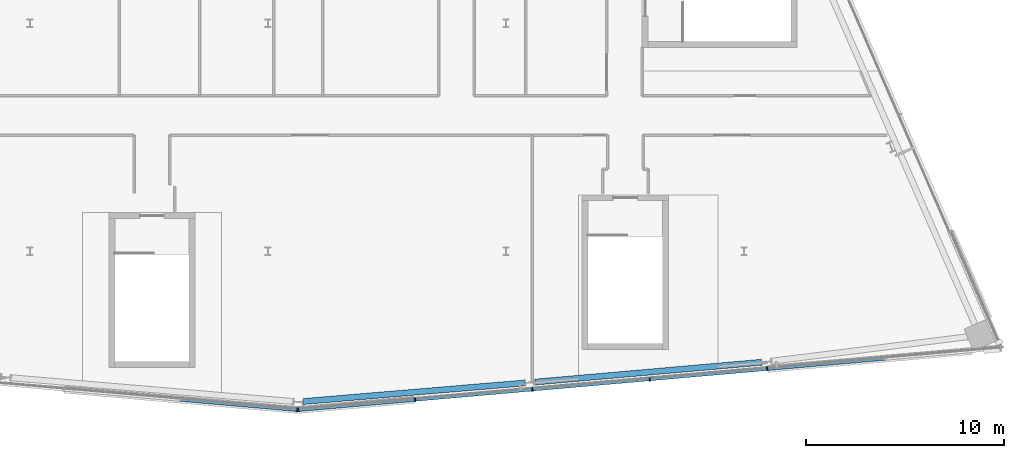
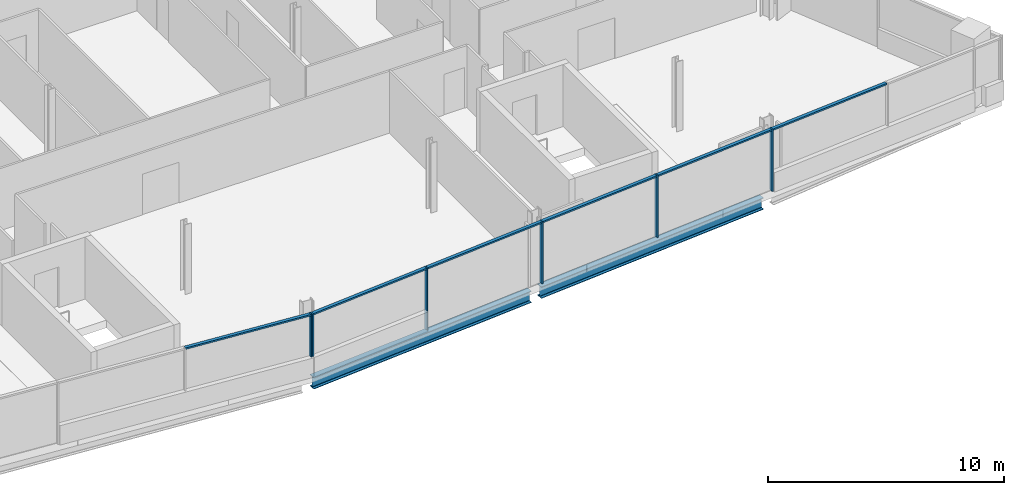
# One storey, part 7 of 19: 12 members, 2 beams, 2 elements without a shape of their own.
"""IFC4 building model written with IfcOpenShell, lengths in metres."""

from ifc_helpers import new_model, si_unit, direction, frame, origin, origin_2d, place, context, subcontext, project, spatial, rectangle, i_section, extrude, material, material_profile, profile_set, type_object, element, aggregate, save


model = new_model("IFC4")

# Units and contexts
model_context = context("Model", 3, precision=1e-05, world=origin(), true_north=direction((0.0, 1.0)))
body_context = subcontext(model_context, "Body", "Model", "MODEL_VIEW")
ifc_project = project(units=[si_unit("LENGTHUNIT", "METRE"), si_unit("AREAUNIT", "SQUARE_METRE"), si_unit("VOLUMEUNIT", "CUBIC_METRE"), si_unit("PLANEANGLEUNIT", "RADIAN"), si_unit("MASSUNIT", "GRAM", prefix="KILO")], contexts=[model_context])

# Site, building, storey
site_placement = place(None, origin())
site = spatial("IfcSite", under=ifc_project, at=site_placement, CompositionType="ELEMENT")
building_placement = place(site_placement, origin())
building = spatial("IfcBuilding", under=site, at=building_placement, Name="Wharfspan Tower", CompositionType="ELEMENT")
storey_placement = place(building_placement, frame((0.0, 0.0, 257.5)))
storey = spatial("IfcBuildingStorey", under=building, at=storey_placement, Name="L65", CompositionType="ELEMENT", Elevation=257.5)

# Beams
ifc_material_1 = material(Name="Steel S355J2", Category="steel")
ifc_material_profile_1 = material_profile(ifc_material_1, i_section(OverallWidth=0.300049, OverallDepth=0.600098, WebThickness=0.015381, FlangeThickness=0.030029, FilletRadius=0.0271, at=origin_2d()))
ifc_profile_set_1 = profile_set([ifc_material_profile_1], Name="Steel S355J2")
beam_type = type_object("IfcBeamType", Name="Edge beam HEB 600", PredefinedType="SPANDREL", material=ifc_profile_set_1)
beam_1_placement = place(storey_placement, frame((49.783691, 3.923828, -0.699951), z_axis=(0.996517, 0.083395, 0.0), x_axis=(-0.083395, 0.996517, 0.0)))
element("IfcBeam", 1, at=beam_1_placement, inside=storey, type_object=beam_type, Name="Edge beam S2 L65 PS1.3 to PS2.1", PredefinedType="SPANDREL", context=body_context, shape_type="SweptSolid", body=[
    extrude(i_section(OverallWidth=0.300049, OverallDepth=0.600098, WebThickness=0.015381, FlangeThickness=0.030029, FilletRadius=0.0271, at=origin_2d()), origin(), (0.0, 0.0, 1.0), 11.200684),
])
beam_2_placement = place(storey_placement, frame((61.459473, 4.901855, -0.699951), z_axis=(0.996195, 0.087157, 0.0), x_axis=(-0.087157, 0.996195, 0.0)))
element("IfcBeam", 2, at=beam_2_placement, inside=storey, type_object=beam_type, Name="Edge beam S2 L65 PS2.1 to PS2.2", PredefinedType="SPANDREL", context=body_context, shape_type="SweptSolid", body=[
    extrude(i_section(OverallWidth=0.300049, OverallDepth=0.600098, WebThickness=0.015381, FlangeThickness=0.030029, FilletRadius=0.0271, at=origin_2d()), origin(), (0.0, 0.0, 1.0), 11.462402),
])

# Curtain wall, member
ifc_material_2 = material(Name="Aluminium 6063-T6", Category="aluminium")
curtain_wall_type = type_object("IfcCurtainWallType", Name="CURTAIN WALL FACETED FRONT", PredefinedType="NOTDEFINED", material=ifc_material_2)
curtain_wall_1_placement = place(storey_placement, origin())
curtain_wall_1 = element("IfcCurtainWall", 3, at=curtain_wall_1_placement, inside=storey, type_object=curtain_wall_type, Name="Curtain wall S1", PredefinedType="NOTDEFINED")
ifc_material_profile_2 = material_profile(ifc_material_2, rectangle(XDim=0.199951, YDim=0.060059, at=origin_2d()))
ifc_profile_set_2 = profile_set([ifc_material_profile_2], Name="Aluminium 6063-T6")
member_type_1 = type_object("IfcMemberType", Name="MULLION FACETED FRONT 60x200", PredefinedType="MULLION", material=ifc_profile_set_2)
member_1_placement = place(storey_placement, frame((49.470215, 3.496826, 1.0), z_axis=(0.0, 0.0, 1.0), x_axis=(0.087156, 0.996197, 0.0)))
member_1 = element("IfcMember", 4, at=member_1_placement, type_object=member_type_1, Name="Curtain wall S1 mullion 6", PredefinedType="MULLION", context=body_context, shape_type="SweptSolid", body=[
    extrude(rectangle(XDim=0.199951, YDim=0.060059, at=origin_2d()), origin(), (0.0, 0.0, 1.0), 2.199951),
])

# Curtain wall, members
curtain_wall_2_placement = place(storey_placement, origin())
curtain_wall_2 = element("IfcCurtainWall", 5, at=curtain_wall_2_placement, inside=storey, type_object=curtain_wall_type, Name="Curtain wall S2", PredefinedType="NOTDEFINED")
member_2_placement = place(storey_placement, frame((49.529785, 3.496826, 1.0), z_axis=(0.0, 0.0, 1.0), x_axis=(-0.087156, 0.996197, 0.0)))
member_2 = element("IfcMember", 6, at=member_2_placement, type_object=member_type_1, Name="Curtain wall S2 mullion 1", PredefinedType="MULLION", context=body_context, shape_type="SweptSolid", body=[
    extrude(rectangle(XDim=0.199951, YDim=0.060059, at=origin_2d()), origin(), (0.0, 0.0, 1.0), 2.199951),
])
member_3_placement = place(storey_placement, frame((55.416748, 4.011719, 0.0), z_axis=(0.0, 0.0, 1.0), x_axis=(-0.087156, 0.996197, 0.0)))
member_3 = element("IfcMember", 7, at=member_3_placement, type_object=member_type_1, Name="Curtain wall S2 mullion 2", PredefinedType="MULLION", context=body_context, shape_type="SweptSolid", body=[
    extrude(rectangle(XDim=0.199951, YDim=0.060059, at=origin_2d()), origin(), (0.0, 0.0, 1.0), 3.199951),
])
member_4_placement = place(storey_placement, frame((61.333252, 4.529541, 0.0), z_axis=(0.0, 0.0, 1.0), x_axis=(-0.087156, 0.996197, 0.0)))
member_4 = element("IfcMember", 8, at=member_4_placement, type_object=member_type_1, Name="Curtain wall S2 mullion 3", PredefinedType="MULLION", context=body_context, shape_type="SweptSolid", body=[
    extrude(rectangle(XDim=0.199951, YDim=0.060059, at=origin_2d()), origin(), (0.0, 0.0, 1.0), 3.199951),
])
member_5_placement = place(storey_placement, frame((67.25, 5.047119, 0.0), z_axis=(0.0, 0.0, 1.0), x_axis=(-0.087156, 0.996197, 0.0)))
member_5 = element("IfcMember", 9, at=member_5_placement, type_object=member_type_1, Name="Curtain wall S2 mullion 4", PredefinedType="MULLION", context=body_context, shape_type="SweptSolid", body=[
    extrude(rectangle(XDim=0.199951, YDim=0.060059, at=origin_2d()), origin(), (0.0, 0.0, 1.0), 3.199951),
])
member_6_placement = place(storey_placement, frame((73.166748, 5.564697, 0.0), z_axis=(0.0, 0.0, 1.0), x_axis=(-0.087156, 0.996197, 0.0)))
member_6 = element("IfcMember", 10, at=member_6_placement, type_object=member_type_1, Name="Curtain wall S2 mullion 5", PredefinedType="MULLION", context=body_context, shape_type="SweptSolid", body=[
    extrude(rectangle(XDim=0.199951, YDim=0.060059, at=origin_2d()), origin(), (0.0, 0.0, 1.0), 3.199951),
])

# Member
ifc_material_profile_3 = material_profile(ifc_material_2, rectangle(XDim=0.159912, YDim=0.080078, at=origin_2d()))
ifc_profile_set_3 = profile_set([ifc_material_profile_3], Name="Aluminium 6063-T6")
member_type_2 = type_object("IfcMemberType", Name="TRANSOM FACETED FRONT 80x160", PredefinedType="USERDEFINED", material=ifc_profile_set_3)
member_7_placement = place(storey_placement, frame((43.629883, 4.007812, 3.159912), z_axis=(0.996192, -0.087191, 0.0), x_axis=(0.087191, 0.996192, 0.0)))
member_7 = element("IfcMember", 11, at=member_7_placement, type_object=member_type_2, Name="Curtain wall S1 transom 5", ObjectType="TRANSOM", PredefinedType="USERDEFINED", context=body_context, shape_type="SweptSolid", body=[
    extrude(rectangle(XDim=0.159912, YDim=0.080078, at=origin_2d()), origin(), (0.0, 0.0, 1.0), 5.83252),
])

aggregate(curtain_wall_1, [member_1, member_7])

member_8_placement = place(storey_placement, frame((49.559814, 3.499268, 3.159912), z_axis=(0.996191, 0.087193, 0.0), x_axis=(-0.087193, 0.996191, 0.0)))
member_8 = element("IfcMember", 12, at=member_8_placement, type_object=member_type_2, Name="Curtain wall S2 transom 1", ObjectType="TRANSOM", PredefinedType="USERDEFINED", context=body_context, shape_type="SweptSolid", body=[
    extrude(rectangle(XDim=0.159912, YDim=0.080078, at=origin_2d()), origin(), (0.0, 0.0, 1.0), 5.849121),
])

member_9_placement = place(storey_placement, frame((55.446533, 4.014404, 3.159912), z_axis=(0.996194, 0.087162, 0.0), x_axis=(-0.087162, 0.996194, 0.0)))
member_9 = element("IfcMember", 13, at=member_9_placement, type_object=member_type_2, Name="Curtain wall S2 transom 2", ObjectType="TRANSOM", PredefinedType="USERDEFINED", context=body_context, shape_type="SweptSolid", body=[
    extrude(rectangle(XDim=0.159912, YDim=0.080078, at=origin_2d()), origin(), (0.0, 0.0, 1.0), 5.879395),
])

member_10_placement = place(storey_placement, frame((61.363281, 4.531982, 3.159912), z_axis=(0.996194, 0.087162, 0.0), x_axis=(-0.087162, 0.996194, 0.0)))
member_10 = element("IfcMember", 14, at=member_10_placement, type_object=member_type_2, Name="Curtain wall S2 transom 3", ObjectType="TRANSOM", PredefinedType="USERDEFINED", context=body_context, shape_type="SweptSolid", body=[
    extrude(rectangle(XDim=0.159912, YDim=0.080078, at=origin_2d()), origin(), (0.0, 0.0, 1.0), 5.879395),
])

member_11_placement = place(storey_placement, frame((67.279785, 5.049805, 3.159912), z_axis=(0.996198, 0.087121, 0.0), x_axis=(-0.087121, 0.996198, 0.0)))
member_11 = element("IfcMember", 15, at=member_11_placement, type_object=member_type_2, Name="Curtain wall S2 transom 4", ObjectType="TRANSOM", PredefinedType="USERDEFINED", context=body_context, shape_type="SweptSolid", body=[
    extrude(rectangle(XDim=0.159912, YDim=0.080078, at=origin_2d()), origin(), (0.0, 0.0, 1.0), 5.879395),
])

member_12_placement = place(storey_placement, frame((73.196533, 5.567383, 3.159912), z_axis=(0.996194, 0.087162, 0.0), x_axis=(-0.087162, 0.996194, 0.0)))
member_12 = element("IfcMember", 16, at=member_12_placement, type_object=member_type_2, Name="Curtain wall S2 transom 5", ObjectType="TRANSOM", PredefinedType="USERDEFINED", context=body_context, shape_type="SweptSolid", body=[
    extrude(rectangle(XDim=0.159912, YDim=0.080078, at=origin_2d()), origin(), (0.0, 0.0, 1.0), 5.879395),
])

aggregate(curtain_wall_2, [member_2, member_3, member_4, member_5, member_6, member_8, member_9, member_10, member_11, member_12])

save(model, "model.ifc")
